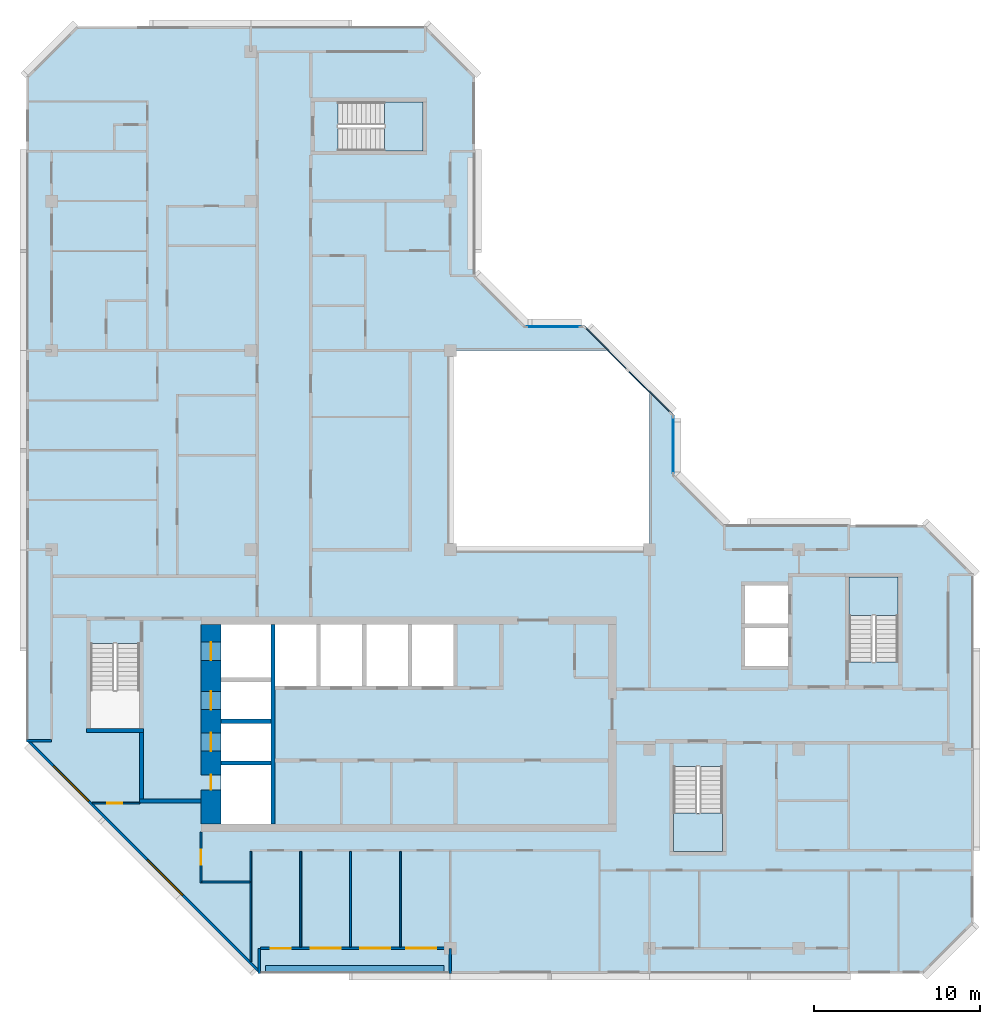
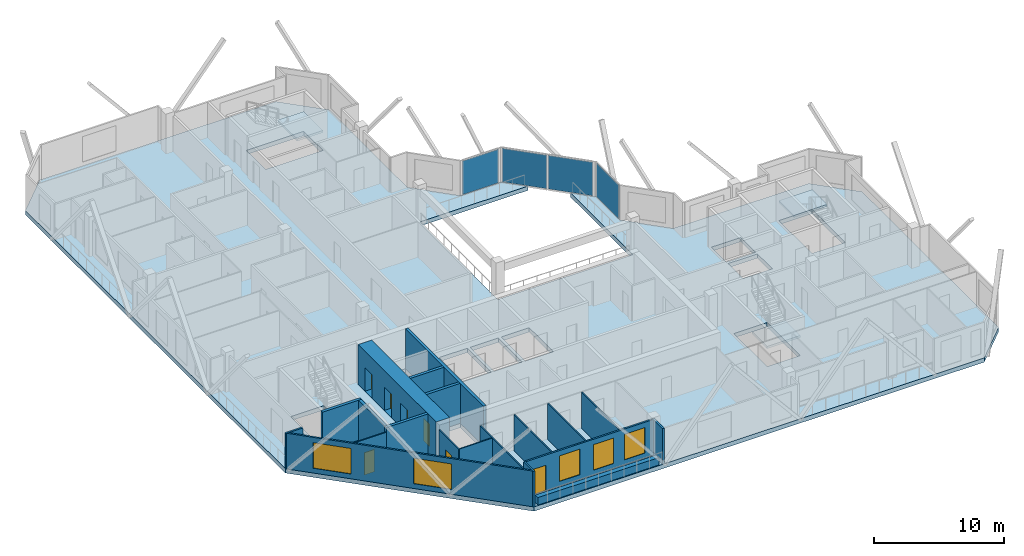
# One storey, part 3 of 11: 20 walls, 7 doors, 5 windows, 4 plates, 4 slabs, 12 openings, 6 elements without a shape of their own.
"""IFC4 building model written with IfcOpenShell, lengths in metres."""

from ifc_helpers import new_model, si_unit, direction, frame, frame_2d, origin, origin_2d, place, context, subcontext, project, spatial, polyline, rectangle, outline, extrude, material, layer, layer_set, type_object, element, fill, aggregate, save


model = new_model("IFC4")

# Units and contexts
model_context = context("Model", 3, precision=1e-05, world=origin(), true_north=direction((0.0, 1.0)))
body_context = subcontext(model_context, "Body", "Model", "MODEL_VIEW")
ifc_project = project(units=[si_unit("LENGTHUNIT", "METRE"), si_unit("AREAUNIT", "SQUARE_METRE"), si_unit("VOLUMEUNIT", "CUBIC_METRE"), si_unit("PLANEANGLEUNIT", "RADIAN"), si_unit("MASSUNIT", "GRAM", prefix="KILO")], contexts=[model_context])

# Site, building, storey
site_placement = place(None, origin())
site = spatial("IfcSite", under=ifc_project, at=site_placement, CompositionType="ELEMENT")
building_placement = place(site_placement, origin())
building = spatial("IfcBuilding", under=site, at=building_placement, Name="Chenar Terraces", CompositionType="ELEMENT")
storey_placement = place(building_placement, frame((0.0, 0.0, 376.39990234375)))
storey = spatial("IfcBuildingStorey", under=building, at=storey_placement, Name="L88", CompositionType="ELEMENT", Elevation=376.39990234375)

# Curtain wall, plate
ifc_material_1 = material(Name="Aluminium framed glazing", Category="aluminium")
ifc_layer_1 = layer(ifc_material_1, 0.14990234375)
ifc_layer_set_1 = layer_set([ifc_layer_1], Name="Aluminium framed glazing")
curtain_wall_type = type_object("IfcCurtainWallType", Name="Atrium upper-zone curtain wall", PredefinedType="NOTDEFINED", material=ifc_layer_set_1)
placement_1 = place(storey_placement, origin())
curtain_wall_1 = element("IfcCurtainWall", 1, at=placement_1, inside=storey, type_object=curtain_wall_type, Name="Atrium upper-zone curtain wall", PredefinedType="NOTDEFINED")
ifc_material_2 = material(Name="Low emissivity laminated glass, solar control coating", Category="glass")
ifc_layer_2 = layer(ifc_material_2, 0.050048828125)
ifc_layer_set_2 = layer_set([ifc_layer_2], Name="Low emissivity laminated glass, solar control coating")
plate_type = type_object("IfcPlateType", Name="Atrium upper-zone glazing panel 50", PredefinedType="CURTAIN_PANEL", material=ifc_layer_set_2)
plate_1_placement = place(storey_placement, frame((37.425048828125, 30.300048828125, 0.10009765625), z_axis=(0.0, 0.0, 1.0), x_axis=(0.0, 1.0, 0.0)))
plate_1 = element("IfcPlate", 2, at=plate_1_placement, type_object=plate_type, Name="CW8-1 panel 1.1", PredefinedType="CURTAIN_PANEL", context=body_context, shape_type="SweptSolid", body=[
    extrude(rectangle(XDim=3.39990234375, YDim=0.050048828125, at=origin_2d()), origin(), (0.0, 0.0, 1.0), 3.14990234375),
])
aggregate(curtain_wall_1, [plate_1])

# Curtain wall, plates
curtain_wall_2 = element("IfcCurtainWall", 3, at=placement_1, inside=storey, type_object=curtain_wall_type, Name="Atrium upper-zone curtain wall", PredefinedType="NOTDEFINED")
plate_2_placement = place(storey_placement, frame((35.97314453125, 33.520751953125, 0.10009765625), z_axis=(0.0, 0.0, 1.0), x_axis=(-0.707106781187, 0.707106781187, 0.0)))
plate_2 = element("IfcPlate", 4, at=plate_2_placement, type_object=plate_type, Name="CW8-2 panel 1.1", PredefinedType="CURTAIN_PANEL", context=body_context, shape_type="SweptSolid", body=[
    extrude(rectangle(XDim=3.568359375, YDim=0.050048828125, at=origin_2d()), origin(), (0.0, 0.0, 1.0), 3.14990234375),
])
plate_3_placement = place(storey_placement, frame((33.379150390625, 36.11474609375, 0.10009765625), z_axis=(0.0, 0.0, 1.0), x_axis=(-0.707106781187, 0.707106781187, 0.0)))
plate_3 = element("IfcPlate", 5, at=plate_3_placement, type_object=plate_type, Name="CW8-2 panel 2.1", PredefinedType="CURTAIN_PANEL", context=body_context, shape_type="SweptSolid", body=[
    extrude(rectangle(XDim=3.568359375, YDim=0.050048828125, at=origin_2d()), origin(), (0.0, 0.0, 1.0), 3.14990234375),
])
aggregate(curtain_wall_2, [plate_2, plate_3])

# Curtain wall, plate
curtain_wall_3 = element("IfcCurtainWall", 6, at=placement_1, inside=storey, type_object=curtain_wall_type, Name="Atrium upper-zone curtain wall", PredefinedType="NOTDEFINED")
plate_4_placement = place(storey_placement, frame((30.199951171875, 37.425048828125, 0.10009765625), z_axis=(0.0, 0.0, 1.0), x_axis=(-1.0, 0.0, 0.0)))
plate_4 = element("IfcPlate", 7, at=plate_4_placement, type_object=plate_type, Name="CW8-3 panel 1.1", PredefinedType="CURTAIN_PANEL", context=body_context, shape_type="SweptSolid", body=[
    extrude(rectangle(XDim=3.199951171875, YDim=0.050048828125, at=origin_2d()), origin(), (0.0, 0.0, 1.0), 3.14990234375),
])
aggregate(curtain_wall_3, [plate_4])

# Stair, slab
ifc_material_3 = material(Name="Reinforced concrete C40/50", Category="concrete")
stair_type = type_object("IfcStairType", Name="Core stair 1400 half-turn", PredefinedType="HALF_TURN_STAIR", material=ifc_material_3)
stair_1 = element("IfcStair", 8, at=placement_1, inside=storey, type_object=stair_type, Name="L88 Stair 2", PredefinedType="HALF_TURN_STAIR")
ifc_material_4 = material(Name="Reinforced concrete C40/50", Category="concrete")
ifc_layer_3 = layer(ifc_material_4, 0.199951171875)
ifc_layer_set_3 = layer_set([ifc_layer_3], Name="Reinforced concrete C40/50")
slab_type_1 = type_object("IfcSlabType", Name="Core stair landing 200", PredefinedType="LANDING", material=ifc_layer_set_3)
placement_2 = place(storey_placement, frame((0.0, 0.0, 1.675048828125)))
slab_1 = element("IfcSlab", 9, at=placement_2, type_object=slab_type_1, Name="ST2 landing 1", PredefinedType="LANDING", context=body_context, shape_type="SweptSolid", body=[
    extrude(outline(polyline([(37.449951171875, 8.14990234375), (37.449951171875, 5.85009765625), (40.39990234375, 5.85009765625), (40.39990234375, 8.14990234375), (37.449951171875, 8.14990234375)])), origin(), (0.0, 0.0, 1.0), 0.199951171875),
])
aggregate(stair_1, [slab_1])

stair_2 = element("IfcStair", 10, at=placement_1, inside=storey, type_object=stair_type, Name="L88 Stair 3", PredefinedType="HALF_TURN_STAIR")
slab_2 = element("IfcSlab", 11, at=placement_2, type_object=slab_type_1, Name="ST3 landing 1", PredefinedType="LANDING", context=body_context, shape_type="SweptSolid", body=[
    extrude(outline(polyline([(50.97509765625, 20.050048828125), (50.97509765625, 22.35009765625), (48.02490234375, 22.35009765625), (48.02490234375, 20.050048828125), (50.97509765625, 20.050048828125)])), origin(), (0.0, 0.0, 1.0), 0.199951171875),
])
aggregate(stair_2, [slab_2])

stair_3 = element("IfcStair", 12, at=placement_1, inside=storey, type_object=stair_type, Name="L88 Stair 4", PredefinedType="HALF_TURN_STAIR")
slab_3 = element("IfcSlab", 13, at=placement_2, type_object=slab_type_1, Name="ST4 landing 1", PredefinedType="LANDING", context=body_context, shape_type="SweptSolid", body=[
    extrude(outline(polyline([(20.050048828125, 48.02490234375), (22.35009765625, 48.02490234375), (22.35009765625, 50.97509765625), (20.050048828125, 50.97509765625), (20.050048828125, 48.02490234375)])), origin(), (0.0, 0.0, 1.0), 0.199951171875),
])
aggregate(stair_3, [slab_3])

# Slab
ifc_material_5 = material(Name="Concrete C40/50", Category="concrete")
ifc_layer_4 = layer(ifc_material_5, 0.39990234375)
ifc_layer_set_4 = layer_set([ifc_layer_4], Name="Concrete C40/50")
slab_type_2 = type_object("IfcSlabType", Name="Floor slab 400 Concrete C40/50", PredefinedType="FLOOR", material=ifc_layer_set_4)
slab_4_placement = place(storey_placement, frame((0.0, 0.0, -0.39990234375)))
element("IfcSlab", 14, at=slab_4_placement, inside=storey, type_object=slab_type_2, Name="Floor slab L88", PredefinedType="FLOOR", context=body_context, shape_type="SweptSolid", body=[
    extrude(outline(polyline([(55.5, 22.5), (55.5, 1.5), (52.5, -1.5), (12.5, -1.5), (-1.5, 12.5), (-1.5, 52.5), (1.5, 55.5), (22.5, 55.5), (25.5, 52.5), (25.5, 40.5), (28.5, 37.5), (32.10009765625, 37.5), (33.60009765625, 36.0), (24.0, 36.0), (24.0, 24.0), (36.0, 24.0), (36.0, 33.60009765625), (37.5, 32.10009765625), (37.5, 28.5), (40.5, 25.5), (52.5, 25.5), (55.5, 22.5)]), holes=[polyline([(10.199951171875, 11.050048828125), (10.199951171875, 7.5), (13.199951171875, 7.5), (13.199951171875, 11.050048828125), (10.199951171875, 11.050048828125)]), polyline([(13.199951171875, 13.550048828125), (10.199951171875, 13.550048828125), (10.199951171875, 11.300048828125), (13.199951171875, 11.300048828125), (13.199951171875, 13.550048828125)]), polyline([(13.199951171875, 16.050048828125), (10.199951171875, 16.050048828125), (10.199951171875, 13.800048828125), (13.199951171875, 13.800048828125), (13.199951171875, 16.050048828125)]), polyline([(2.35009765625, 13.25), (5.300048828125, 13.25), (5.300048828125, 18.35009765625), (2.35009765625, 18.35009765625), (2.35009765625, 13.25)]), polyline([(15.949951171875, 19.5), (13.449951171875, 19.5), (13.449951171875, 15.800048828125), (15.949951171875, 15.800048828125), (15.949951171875, 19.5)]), polyline([(18.699951171875, 19.5), (16.199951171875, 19.5), (16.199951171875, 15.800048828125), (18.699951171875, 15.800048828125), (18.699951171875, 19.5)]), polyline([(13.199951171875, 19.5), (10.199951171875, 19.5), (10.199951171875, 16.300048828125), (13.199951171875, 16.300048828125), (13.199951171875, 19.5)]), polyline([(22.35009765625, 48.02490234375), (22.35009765625, 50.97509765625), (17.25, 50.97509765625), (17.25, 48.02490234375), (22.35009765625, 48.02490234375)]), polyline([(37.449951171875, 5.85009765625), (40.39990234375, 5.85009765625), (40.39990234375, 10.949951171875), (37.449951171875, 10.949951171875), (37.449951171875, 5.85009765625)]), polyline([(21.449951171875, 19.5), (18.949951171875, 19.5), (18.949951171875, 15.800048828125), (21.449951171875, 15.800048828125), (21.449951171875, 19.5)]), polyline([(24.199951171875, 19.5), (21.699951171875, 19.5), (21.699951171875, 15.800048828125), (24.199951171875, 15.800048828125), (24.199951171875, 19.5)]), polyline([(44.35009765625, 19.300048828125), (41.75, 19.300048828125), (41.75, 17.0), (44.35009765625, 17.0), (44.35009765625, 19.300048828125)]), polyline([(50.97509765625, 22.35009765625), (48.02490234375, 22.35009765625), (48.02490234375, 17.25), (50.97509765625, 17.25), (50.97509765625, 22.35009765625)]), polyline([(44.35009765625, 21.85009765625), (41.75, 21.85009765625), (41.75, 19.550048828125), (44.35009765625, 19.550048828125), (44.35009765625, 21.85009765625)])]), origin(), (0.0, 0.0, 1.0), 0.39990234375),
])

# Wall, openings, doors
ifc_material_6 = material(Name="Concrete C50/60", Category="concrete")
ifc_layer_5 = layer(ifc_material_6, 1.199951171875)
ifc_layer_set_5 = layer_set([ifc_layer_5], Name="Concrete C50/60")
wall_type_1 = type_object("IfcWallType", Name="Core wall 1200 Concrete C50/60", PredefinedType="SHEAR", material=ifc_layer_set_5)
wall_1_placement = place(storey_placement, frame((9.60009765625, 7.5, 0.0), z_axis=(0.0, 0.0, 1.0), x_axis=(0.0, 1.0, 0.0)))
wall_1 = element("IfcWall", 15, at=wall_1_placement, inside=storey, type_object=wall_type_1, Name="Core wall W L88", PredefinedType="SHEAR", context=body_context, shape_type="SweptSolid", body=[
    extrude(rectangle(XDim=12.0, YDim=1.199951171875, at=frame_2d((6.0, 0.0))), origin(), (0.0, 0.0, 1.0), 3.75),
])
opening_1_placement = place(wall_1_placement, frame((4.375, 0.0, 0.0)))
opening_1 = element("IfcOpeningElement", 16, at=opening_1_placement, cuts=wall_1, Name="Opening DL88-LD5", PredefinedType="OPENING", context=body_context, shape_type="SweptSolid", body=[
    extrude(rectangle(XDim=1.10009765625, YDim=2.199951171875, at=frame_2d((0.550048828125, 1.10009765625))), frame((0.0, 0.60986328125, 0.0), z_axis=(0.0, -1.0, 0.0), x_axis=(1.0, 0.0, 0.0)), (0.0, 0.0, 1.0), 1.219970703125),
])
opening_2_placement = place(wall_1_placement, frame((6.875, 0.0, 0.0)))
opening_2 = element("IfcOpeningElement", 17, at=opening_2_placement, cuts=wall_1, Name="Opening DL88-LD6", PredefinedType="OPENING", context=body_context, shape_type="SweptSolid", body=[
    extrude(rectangle(XDim=1.10009765625, YDim=2.199951171875, at=frame_2d((0.550048828125, 1.10009765625))), frame((0.0, 0.60986328125, 0.0), z_axis=(0.0, -1.0, 0.0), x_axis=(1.0, 0.0, 0.0)), (0.0, 0.0, 1.0), 1.219970703125),
])
opening_3_placement = place(wall_1_placement, frame((9.85009765625, 0.0, 0.0)))
opening_3 = element("IfcOpeningElement", 18, at=opening_3_placement, cuts=wall_1, Name="Opening DL88-LD7", PredefinedType="OPENING", context=body_context, shape_type="SweptSolid", body=[
    extrude(rectangle(XDim=1.10009765625, YDim=2.199951171875, at=frame_2d((0.550048828125, 1.10009765625))), frame((0.0, 0.60986328125, 0.0), z_axis=(0.0, -1.0, 0.0), x_axis=(1.0, 0.0, 0.0)), (0.0, 0.0, 1.0), 1.219970703125),
])
opening_4_placement = place(wall_1_placement, frame((2.050048828125, 0.0, 0.0)))
opening_4 = element("IfcOpeningElement", 19, at=opening_4_placement, cuts=wall_1, Name="Opening DL88-C4", PredefinedType="OPENING", context=body_context, shape_type="SweptSolid", body=[
    extrude(rectangle(XDim=0.89990234375, YDim=2.10009765625, at=frame_2d((0.449951171875, 1.050048828125))), frame((0.0, 0.60986328125, 0.0), z_axis=(0.0, -1.0, 0.0), x_axis=(1.0, 0.0, 0.0)), (0.0, 0.0, 1.0), 1.219970703125),
])
ifc_material_7 = material(Name="Stainless steel", Category="steel")
door_type_1 = type_object("IfcDoorType", Name="Lift landing door 1100 x 2200 sliding", OperationType="DOUBLE_DOOR_SLIDING", PredefinedType="DOOR", material=ifc_material_7)
door_1_placement = place(opening_1_placement, origin())
door_1 = element("IfcDoor", 20, at=door_1_placement, inside=storey, type_object=door_type_1, Name="Landing door S1", OperationType="DOUBLE_DOOR_SLIDING", OverallHeight=2.199951171875, OverallWidth=1.10009765625, PredefinedType="DOOR", context=body_context, shape_type="SweptSolid", body=[
    extrude(rectangle(XDim=1.10009765625, YDim=2.199951171875, at=frame_2d((0.550048828125, 1.10009765625))), frame((0.0, 0.02490234375, 0.0), z_axis=(0.0, -1.0, 0.0), x_axis=(1.0, 0.0, 0.0)), (0.0, 0.0, 1.0), 0.050048828125),
])
fill(opening_1, door_1)
door_2_placement = place(opening_2_placement, origin())
door_2 = element("IfcDoor", 21, at=door_2_placement, inside=storey, type_object=door_type_1, Name="Landing door F1", OperationType="DOUBLE_DOOR_SLIDING", OverallHeight=2.199951171875, OverallWidth=1.10009765625, PredefinedType="DOOR", context=body_context, shape_type="SweptSolid", body=[
    extrude(rectangle(XDim=1.10009765625, YDim=2.199951171875, at=frame_2d((0.550048828125, 1.10009765625))), frame((0.0, 0.02490234375, 0.0), z_axis=(0.0, -1.0, 0.0), x_axis=(1.0, 0.0, 0.0)), (0.0, 0.0, 1.0), 0.050048828125),
])
fill(opening_2, door_2)
door_3_placement = place(opening_3_placement, origin())
door_3 = element("IfcDoor", 22, at=door_3_placement, inside=storey, type_object=door_type_1, Name="Landing door F2", OperationType="DOUBLE_DOOR_SLIDING", OverallHeight=2.199951171875, OverallWidth=1.10009765625, PredefinedType="DOOR", context=body_context, shape_type="SweptSolid", body=[
    extrude(rectangle(XDim=1.10009765625, YDim=2.199951171875, at=frame_2d((0.550048828125, 1.10009765625))), frame((0.0, 0.02490234375, 0.0), z_axis=(0.0, -1.0, 0.0), x_axis=(1.0, 0.0, 0.0)), (0.0, 0.0, 1.0), 0.050048828125),
])
fill(opening_3, door_3)
ifc_material_8 = material(Name="Steel-framed fire-resisting door leaf", Category="steel")
door_type_2 = type_object("IfcDoorType", Name="Riser fire door FD60 900 x 2100", OperationType="SINGLE_SWING_LEFT", PredefinedType="DOOR", material=ifc_material_8)
door_4_placement = place(opening_4_placement, frame((0.89990234375, 0.0, 0.0), z_axis=(0.0, 0.0, 1.0), x_axis=(-1.0, 0.0, 0.0)))
door_4 = element("IfcDoor", 23, at=door_4_placement, inside=storey, type_object=door_type_2, Name="Riser door DL88-C4", OperationType="SINGLE_SWING_LEFT", OverallHeight=2.10009765625, OverallWidth=0.89990234375, PredefinedType="DOOR", context=body_context, shape_type="SweptSolid", body=[
    extrude(rectangle(XDim=0.89990234375, YDim=2.10009765625, at=frame_2d((0.449951171875, 1.050048828125))), frame((0.0, 0.02490234375, 0.0), z_axis=(0.0, -1.0, 0.0), x_axis=(1.0, 0.0, 0.0)), (0.0, 0.0, 1.0), 0.050048828125),
])
fill(opening_4, door_4)

# Walls
ifc_material_9 = material(Name="Concrete C50/60", Category="concrete")
ifc_layer_6 = layer(ifc_material_9, 0.25)
ifc_layer_set_6 = layer_set([ifc_layer_6], Name="Concrete C50/60")
wall_type_2 = type_object("IfcWallType", Name="Core wall 250 Concrete C50/60", PredefinedType="SHEAR", material=ifc_layer_set_6)
wall_2_placement = place(storey_placement, frame((13.324951171875, 7.5, 0.0), z_axis=(0.0, 0.0, 1.0), x_axis=(0.0, 1.0, 0.0)))
element("IfcWall", 24, at=wall_2_placement, inside=storey, type_object=wall_type_2, Name="Core wall WI L88", PredefinedType="SHEAR", context=body_context, shape_type="SweptSolid", body=[
    extrude(rectangle(XDim=12.0, YDim=0.25, at=frame_2d((6.0, 0.0))), origin(), (0.0, 0.0, 1.0), 3.75),
])
for number, where, z_axis, x_axis, name in (
    (25, (10.199951171875, 11.175048828125, 0.0), (0.0, 0.0, 1.0), (1.0, 0.0, 0.0), "Core wall HW0 L88"),
    (26, (10.199951171875, 13.675048828125, 0.0), (0.0, 0.0, 1.0), (1.0, 0.0, 0.0), "Core wall HW1 L88"),
):
    element("IfcWall", number, at=place(storey_placement, frame(where, z_axis=z_axis, x_axis=x_axis)), inside=storey, type_object=wall_type_2, Name=name, PredefinedType="SHEAR", context=body_context, shape_type="SweptSolid", body=[
        extrude(rectangle(XDim=3.0, YDim=0.25, at=frame_2d((1.5, 0.0))), origin(), (0.0, 0.0, 1.0), 3.75),
    ])
wall_3_placement = place(storey_placement, frame((2.10009765625, 13.125, 0.0), z_axis=(0.0, 0.0, 1.0), x_axis=(1.0, 0.0, 0.0)))
element("IfcWall", 27, at=wall_3_placement, inside=storey, type_object=wall_type_2, Name="Core wall ST1_S L88", PredefinedType="SHEAR", context=body_context, shape_type="SweptSolid", body=[
    extrude(rectangle(XDim=3.449951171875, YDim=0.25, at=frame_2d((1.72509765625, 0.0))), origin(), (0.0, 0.0, 1.0), 3.75),
])
wall_4_placement = place(storey_placement, frame((5.300048828125, 8.875, 0.0), z_axis=(0.0, 0.0, 1.0), x_axis=(1.0, 0.0, 0.0)))
element("IfcWall", 28, at=wall_4_placement, inside=storey, type_object=wall_type_2, Name="Core wall FFL_S L88", PredefinedType="SHEAR", context=body_context, shape_type="SweptSolid", body=[
    extrude(rectangle(XDim=3.699951171875, YDim=0.25, at=frame_2d((1.85009765625, 0.0))), origin(), (0.0, 0.0, 1.0), 3.75),
])
wall_5_placement = place(storey_placement, frame((5.425048828125, 9.0, 0.0), z_axis=(0.0, 0.0, 1.0), x_axis=(0.0, 1.0, 0.0)))
element("IfcWall", 29, at=wall_5_placement, inside=storey, type_object=wall_type_2, Name="Core wall FFL_W L88", PredefinedType="SHEAR", context=body_context, shape_type="SweptSolid", body=[
    extrude(rectangle(XDim=4.0, YDim=0.25, at=frame_2d((2.0, 0.0))), origin(), (0.0, 0.0, 1.0), 3.75),
])

# Wall, openings, windows, door
ifc_material_10 = material(Name="Aluminium framed glazing", Category="aluminium")
ifc_layer_7 = layer(ifc_material_10, 0.14990234375)
ifc_layer_set_7 = layer_set([ifc_layer_7], Name="Aluminium framed glazing")
wall_type_3 = type_object("IfcWallType", Name="Glazed loggia back wall 150", PredefinedType="SOLIDWALL", material=ifc_layer_set_7)
wall_6_placement = place(storey_placement, frame((12.574951171875, 0.0, 0.0), z_axis=(0.0, 0.0, 1.0), x_axis=(1.0, 0.0, 0.0)))
wall_6 = element("IfcWall", 30, at=wall_6_placement, inside=storey, type_object=wall_type_3, Name="Glazed loggia back wall", PredefinedType="SOLIDWALL", context=body_context, shape_type="SweptSolid", body=[
    extrude(rectangle(XDim=11.35009765625, YDim=0.14990234375, at=frame_2d((5.675048828125, 0.0))), origin(), (0.0, 0.0, 1.0), 3.35009765625),
])
opening_5_placement = place(wall_6_placement, frame((0.612548828125, 0.0, 0.0)))
opening_5 = element("IfcOpeningElement", 31, at=opening_5_placement, cuts=wall_6, Name="Opening DL88-G3", PredefinedType="OPENING", context=body_context, shape_type="SweptSolid", body=[
    extrude(rectangle(XDim=1.199951171875, YDim=2.39990234375, at=frame_2d((0.60009765625, 1.199951171875))), frame((0.0, 0.0849609375, 0.0), z_axis=(0.0, -1.0, 0.0), x_axis=(1.0, 0.0, 0.0)), (0.0, 0.0, 1.0), 0.169921875),
])
opening_6_placement = place(wall_6_placement, frame((3.02490234375, 0.0, 0.449951171875)))
opening_6 = element("IfcOpeningElement", 32, at=opening_6_placement, cuts=wall_6, Name="Opening W180x240", PredefinedType="OPENING", context=body_context, shape_type="SweptSolid", body=[
    extrude(rectangle(XDim=1.800048828125, YDim=2.39990234375, at=frame_2d((0.89990234375, 1.199951171875))), frame((0.0, 0.0849609375, 0.0), z_axis=(0.0, -1.0, 0.0), x_axis=(1.0, 0.0, 0.0)), (0.0, 0.0, 1.0), 0.169921875),
])
opening_7_placement = place(wall_6_placement, frame((6.02490234375, 0.0, 0.449951171875)))
opening_7 = element("IfcOpeningElement", 33, at=opening_7_placement, cuts=wall_6, Name="Opening W180x240", PredefinedType="OPENING", context=body_context, shape_type="SweptSolid", body=[
    extrude(rectangle(XDim=1.800048828125, YDim=2.39990234375, at=frame_2d((0.89990234375, 1.199951171875))), frame((0.0, 0.0849609375, 0.0), z_axis=(0.0, -1.0, 0.0), x_axis=(1.0, 0.0, 0.0)), (0.0, 0.0, 1.0), 0.169921875),
])
opening_8_placement = place(wall_6_placement, frame((8.78759765625, 0.0, 0.449951171875)))
opening_8 = element("IfcOpeningElement", 34, at=opening_8_placement, cuts=wall_6, Name="Opening W180x240", PredefinedType="OPENING", context=body_context, shape_type="SweptSolid", body=[
    extrude(rectangle(XDim=1.800048828125, YDim=2.39990234375, at=frame_2d((0.89990234375, 1.199951171875))), frame((0.0, 0.0849609375, 0.0), z_axis=(0.0, -1.0, 0.0), x_axis=(1.0, 0.0, 0.0)), (0.0, 0.0, 1.0), 0.169921875),
])
ifc_material_11 = material(Name="Low emissivity double glazing, aluminium frame", Category="aluminium")
window_type_1 = type_object("IfcWindowType", Name="Fixed light 1800 x 2400", PartitioningType="SINGLE_PANEL", PredefinedType="WINDOW", material=ifc_material_11)
window_1_placement = place(opening_6_placement, origin())
window_1 = element("IfcWindow", 35, at=window_1_placement, inside=storey, type_object=window_type_1, Name="Window", OverallHeight=2.39990234375, OverallWidth=1.800048828125, PartitioningType="SINGLE_PANEL", PredefinedType="WINDOW", context=body_context, shape_type="SweptSolid", body=[
    extrude(rectangle(XDim=1.800048828125, YDim=2.39990234375, at=frame_2d((0.89990234375, 1.199951171875))), frame((0.0, 0.030029296875, 0.0), z_axis=(0.0, -1.0, 0.0), x_axis=(1.0, 0.0, 0.0)), (0.0, 0.0, 1.0), 0.06005859375),
])
fill(opening_6, window_1)
window_2_placement = place(opening_7_placement, origin())
window_2 = element("IfcWindow", 36, at=window_2_placement, inside=storey, type_object=window_type_1, Name="Window", OverallHeight=2.39990234375, OverallWidth=1.800048828125, PartitioningType="SINGLE_PANEL", PredefinedType="WINDOW", context=body_context, shape_type="SweptSolid", body=[
    extrude(rectangle(XDim=1.800048828125, YDim=2.39990234375, at=frame_2d((0.89990234375, 1.199951171875))), frame((0.0, 0.030029296875, 0.0), z_axis=(0.0, -1.0, 0.0), x_axis=(1.0, 0.0, 0.0)), (0.0, 0.0, 1.0), 0.06005859375),
])
fill(opening_7, window_2)
window_3_placement = place(opening_8_placement, origin())
window_3 = element("IfcWindow", 37, at=window_3_placement, inside=storey, type_object=window_type_1, Name="Window", OverallHeight=2.39990234375, OverallWidth=1.800048828125, PartitioningType="SINGLE_PANEL", PredefinedType="WINDOW", context=body_context, shape_type="SweptSolid", body=[
    extrude(rectangle(XDim=1.800048828125, YDim=2.39990234375, at=frame_2d((0.89990234375, 1.199951171875))), frame((0.0, 0.030029296875, 0.0), z_axis=(0.0, -1.0, 0.0), x_axis=(1.0, 0.0, 0.0)), (0.0, 0.0, 1.0), 0.06005859375),
])
fill(opening_8, window_3)
ifc_material_12 = material(Name="Low emissivity double glazing, aluminium frame", Category="aluminium")
door_type_3 = type_object("IfcDoorType", Name="Loggia glazed double door 1200 x 2400", OperationType="DOUBLE_DOOR_SINGLE_SWING", PredefinedType="DOOR", material=ifc_material_12)
door_5_placement = place(opening_5_placement, frame((1.199951171875, 0.0, 0.0), z_axis=(0.0, 0.0, 1.0), x_axis=(-1.0, 0.0, 0.0)))
door_5 = element("IfcDoor", 38, at=door_5_placement, inside=storey, type_object=door_type_3, Name="Loggia glazed door", OperationType="DOUBLE_DOOR_SINGLE_SWING", OverallHeight=2.39990234375, OverallWidth=1.199951171875, PredefinedType="DOOR", context=body_context, shape_type="SweptSolid", body=[
    extrude(rectangle(XDim=1.199951171875, YDim=2.39990234375, at=frame_2d((0.60009765625, 1.199951171875))), frame((0.0, 0.02490234375, 0.0), z_axis=(0.0, -1.0, 0.0), x_axis=(1.0, 0.0, 0.0)), (0.0, 0.0, 1.0), 0.050048828125),
])
fill(opening_5, door_5)

# Wall, opening, door
ifc_material_13 = material(Name="Gypsum board on steel studs", Category="steel")
ifc_layer_8 = layer(ifc_material_13, 0.10009765625)
ifc_layer_set_8 = layer_set([ifc_layer_8], Name="Gypsum board on steel studs")
wall_type_4 = type_object("IfcWallType", Name="Gypsum partition 100", PredefinedType="PARTITIONING", material=ifc_layer_set_8)
wall_7_placement = place(storey_placement, frame((2.4609375, 8.75, 0.0), z_axis=(0.0, 0.0, 1.0), x_axis=(1.0, 0.0, 0.0)))
wall_7 = element("IfcWall", 39, at=wall_7_placement, inside=storey, type_object=wall_type_4, Name="Partition L88-011", PredefinedType="PARTITIONING", context=body_context, shape_type="SweptSolid", body=[
    extrude(rectangle(XDim=2.839111328125, YDim=0.10009765625, at=frame_2d((1.41943359375, 0.0))), origin(), (0.0, 0.0, 1.0), 3.35009765625),
])
opening_9_placement = place(wall_7_placement, frame((0.888916015625, 0.0, 0.0)))
opening_9 = element("IfcOpeningElement", 40, at=opening_9_placement, cuts=wall_7, Name="Opening DL88-32", PredefinedType="OPENING", context=body_context, shape_type="SweptSolid", body=[
    extrude(rectangle(XDim=0.89990234375, YDim=2.10009765625, at=frame_2d((0.449951171875, 1.050048828125))), frame((0.0, 0.06005859375, 0.0), z_axis=(0.0, -1.0, 0.0), x_axis=(1.0, 0.0, 0.0)), (0.0, 0.0, 1.0), 0.1201171875),
])
ifc_material_14 = material(Name="Veneered timber door leaf", Category="wood")
door_type_4 = type_object("IfcDoorType", Name="Door 900 x 2100", OperationType="SINGLE_SWING_LEFT", PredefinedType="DOOR", material=ifc_material_14)
door_6_placement = place(opening_9_placement, frame((0.89990234375, 0.0, 0.0), z_axis=(0.0, 0.0, 1.0), x_axis=(-1.0, 0.0, 0.0)))
door_6 = element("IfcDoor", 41, at=door_6_placement, inside=storey, type_object=door_type_4, Name="Door DL88-32", OperationType="SINGLE_SWING_RIGHT", OverallHeight=2.10009765625, OverallWidth=0.89990234375, PredefinedType="DOOR", context=body_context, shape_type="SweptSolid", body=[
    extrude(rectangle(XDim=0.89990234375, YDim=2.10009765625, at=frame_2d((0.449951171875, 1.050048828125))), frame((0.0, 0.02490234375, 0.0), z_axis=(0.0, -1.0, 0.0), x_axis=(1.0, 0.0, 0.0)), (0.0, 0.0, 1.0), 0.050048828125),
])
fill(opening_9, door_6)

wall_8_placement = place(storey_placement, frame((9.0, 3.949951171875, 0.0), z_axis=(0.0, 0.0, 1.0), x_axis=(0.0, 1.0, 0.0)))
wall_8 = element("IfcWall", 42, at=wall_8_placement, inside=storey, type_object=wall_type_4, Name="Partition L88-025", PredefinedType="PARTITIONING", context=body_context, shape_type="SweptSolid", body=[
    extrude(rectangle(XDim=3.050048828125, YDim=0.10009765625, at=frame_2d((1.52490234375, 0.0))), origin(), (0.0, 0.0, 1.0), 3.35009765625),
])
opening_10_placement = place(wall_8_placement, frame((1.10009765625, 0.0, 0.0)))
opening_10 = element("IfcOpeningElement", 43, at=opening_10_placement, cuts=wall_8, Name="Opening DL88-31", PredefinedType="OPENING", context=body_context, shape_type="SweptSolid", body=[
    extrude(rectangle(XDim=0.89990234375, YDim=2.10009765625, at=frame_2d((0.449951171875, 1.050048828125))), frame((0.0, 0.06005859375, 0.0), z_axis=(0.0, -1.0, 0.0), x_axis=(1.0, 0.0, 0.0)), (0.0, 0.0, 1.0), 0.1201171875),
])
door_7_placement = place(opening_10_placement, origin())
door_7 = element("IfcDoor", 44, at=door_7_placement, inside=storey, type_object=door_type_4, Name="Door DL88-31", OperationType="SINGLE_SWING_LEFT", OverallHeight=2.10009765625, OverallWidth=0.89990234375, PredefinedType="DOOR", context=body_context, shape_type="SweptSolid", body=[
    extrude(rectangle(XDim=0.89990234375, YDim=2.10009765625, at=frame_2d((0.449951171875, 1.050048828125))), frame((0.0, 0.02490234375, 0.0), z_axis=(0.0, -1.0, 0.0), x_axis=(1.0, 0.0, 0.0)), (0.0, 0.0, 1.0), 0.050048828125),
])
fill(opening_10, door_7)

# Walls
wall_9_placement = place(storey_placement, frame((9.050048828125, 4.0, 0.0), z_axis=(0.0, 0.0, 1.0), x_axis=(1.0, 0.0, 0.0)))
element("IfcWall", 45, at=wall_9_placement, inside=storey, type_object=wall_type_4, Name="Partition L88-026", PredefinedType="PARTITIONING", context=body_context, shape_type="SweptSolid", body=[
    extrude(rectangle(XDim=2.89990234375, YDim=0.10009765625, at=frame_2d((1.449951171875, 0.0))), origin(), (0.0, 0.0, 1.0), 3.35009765625),
])
wall_10_placement = place(storey_placement, frame((12.0, -0.787841796875, 0.0), z_axis=(0.0, 0.0, 1.0), x_axis=(0.0, 1.0, 0.0)))
element("IfcWall", 46, at=wall_10_placement, inside=storey, type_object=wall_type_4, Name="Partition L88-028", PredefinedType="PARTITIONING", context=body_context, shape_type="SweptSolid", body=[
    extrude(rectangle(XDim=6.637939453125, YDim=0.10009765625, at=frame_2d((3.31884765625, 0.0))), origin(), (0.0, 0.0, 1.0), 3.35009765625),
])
for number, where, z_axis, x_axis, name in (
    (47, (15.0, 0.073974609375, 0.0), (0.0, 0.0, 1.0), (0.0, 1.0, 0.0), "Partition L88-030"),
    (48, (18.0, 0.073974609375, 0.0), (0.0, 0.0, 1.0), (0.0, 1.0, 0.0), "Partition L88-039"),
    (49, (21.0, 0.073974609375, 0.0), (0.0, 0.0, 1.0), (0.0, 1.0, 0.0), "Partition L88-043"),
):
    element("IfcWall", number, at=place(storey_placement, frame(where, z_axis=z_axis, x_axis=x_axis)), inside=storey, type_object=wall_type_4, Name=name, PredefinedType="PARTITIONING", context=body_context, shape_type="SweptSolid", body=[
        extrude(rectangle(XDim=5.776123046875, YDim=0.10009765625, at=frame_2d((2.88818359375, 0.0))), origin(), (0.0, 0.0, 1.0), 3.35009765625),
    ])
ifc_material_15 = material(Name="Terracotta cladding on insulated backing", Category="masonry")
ifc_layer_9 = layer(ifc_material_15, 0.14990234375)
ifc_layer_set_9 = layer_set([ifc_layer_9], Name="Terracotta cladding on insulated backing")
wall_type_5 = type_object("IfcWallType", Name="Loggia return wall 150", PredefinedType="SOLIDWALL", material=ifc_layer_set_9)
for number, where, z_axis, x_axis, name in (
    (50, (-1.5, 12.5, 0.0), (0.0, 0.0, 1.0), (1.0, 0.0, 0.0), "Loggia return wall"),
    (51, (12.5, -1.5, 0.0), (0.0, 0.0, 1.0), (0.0, 1.0, 0.0), "Loggia return wall"),
    (52, (24.0, -1.5, 0.0), (0.0, 0.0, 1.0), (0.0, 1.0, 0.0), "Loggia return wall"),
):
    element("IfcWall", number, at=place(storey_placement, frame(where, z_axis=z_axis, x_axis=x_axis)), inside=storey, type_object=wall_type_5, Name=name, PredefinedType="SOLIDWALL", context=body_context, shape_type="SweptSolid", body=[
        extrude(rectangle(XDim=1.5, YDim=0.14990234375, at=frame_2d((0.75, 0.0))), origin(), (0.0, 0.0, 1.0), 3.35009765625),
    ])

# Wall, openings, windows
ifc_material_16 = material(Name="Terracotta cladding on insulated backing", Category="masonry")
ifc_layer_10 = layer(ifc_material_16, 0.14990234375)
ifc_layer_set_10 = layer_set([ifc_layer_10], Name="Terracotta cladding on insulated backing")
wall_type_6 = type_object("IfcWallType", Name="Terracotta rainscreen wall 150", PredefinedType="SOLIDWALL", material=ifc_layer_set_10)
wall_11_placement = place(storey_placement, frame((-1.447021484375, 12.552978515625, 0.0), z_axis=(0.0, 0.0, 1.0), x_axis=(0.707106781187, -0.707106781187, 0.0)))
wall_11 = element("IfcWall", 53, at=wall_11_placement, inside=storey, type_object=wall_type_6, Name="Terracotta rainscreen wall", PredefinedType="SOLIDWALL", context=body_context, shape_type="SweptSolid", body=[
    extrude(rectangle(XDim=19.799072265625, YDim=0.14990234375, at=frame_2d((9.8994140625, 0.0))), origin(), (0.0, 0.0, 1.0), 3.35009765625),
])
opening_11_placement = place(wall_11_placement, frame((2.21240234375, 0.0, 0.449951171875)))
opening_11 = element("IfcOpeningElement", 54, at=opening_11_placement, cuts=wall_11, Name="Opening W300x240", PredefinedType="OPENING", context=body_context, shape_type="SweptSolid", body=[
    extrude(rectangle(XDim=3.0, YDim=2.39990234375, at=frame_2d((1.5, 1.199951171875))), frame((0.0, 0.0849609375, 0.0), z_axis=(0.0, -1.0, 0.0), x_axis=(1.0, 0.0, 0.0)), (0.0, 0.0, 1.0), 0.169921875),
])
opening_12_placement = place(wall_11_placement, frame((10.215576171875, 0.0, 0.449951171875)))
opening_12 = element("IfcOpeningElement", 55, at=opening_12_placement, cuts=wall_11, Name="Opening W300x240", PredefinedType="OPENING", context=body_context, shape_type="SweptSolid", body=[
    extrude(rectangle(XDim=3.0, YDim=2.39990234375, at=frame_2d((1.5, 1.199951171875))), frame((0.0, 0.0849609375, 0.0), z_axis=(0.0, -1.0, 0.0), x_axis=(1.0, 0.0, 0.0)), (0.0, 0.0, 1.0), 0.169921875),
])
ifc_material_17 = material(Name="Low emissivity double glazing, aluminium frame", Category="aluminium")
window_type_2 = type_object("IfcWindowType", Name="Fixed light 3000 x 2400", PartitioningType="SINGLE_PANEL", PredefinedType="WINDOW", material=ifc_material_17)
window_4_placement = place(opening_11_placement, origin())
window_4 = element("IfcWindow", 56, at=window_4_placement, inside=storey, type_object=window_type_2, Name="Window", OverallHeight=2.39990234375, OverallWidth=3.0, PartitioningType="SINGLE_PANEL", PredefinedType="WINDOW", context=body_context, shape_type="SweptSolid", body=[
    extrude(rectangle(XDim=3.0, YDim=2.39990234375, at=frame_2d((1.5, 1.199951171875))), frame((0.0, 0.030029296875, 0.0), z_axis=(0.0, -1.0, 0.0), x_axis=(1.0, 0.0, 0.0)), (0.0, 0.0, 1.0), 0.06005859375),
])
fill(opening_11, window_4)
window_5_placement = place(opening_12_placement, origin())
window_5 = element("IfcWindow", 57, at=window_5_placement, inside=storey, type_object=window_type_2, Name="Window", OverallHeight=2.39990234375, OverallWidth=3.0, PartitioningType="SINGLE_PANEL", PredefinedType="WINDOW", context=body_context, shape_type="SweptSolid", body=[
    extrude(rectangle(XDim=3.0, YDim=2.39990234375, at=frame_2d((1.5, 1.199951171875))), frame((0.0, 0.030029296875, 0.0), z_axis=(0.0, -1.0, 0.0), x_axis=(1.0, 0.0, 0.0)), (0.0, 0.0, 1.0), 0.06005859375),
])
fill(opening_12, window_5)

# Wall
ifc_material_18 = material(Name="GRP planter trough")
ifc_layer_11 = layer(ifc_material_18, 0.39990234375)
ifc_layer_set_11 = layer_set([ifc_layer_11], Name="GRP planter trough")
wall_type_7 = type_object("IfcWallType", Name="Vertical greenery planter 400", PredefinedType="SOLIDWALL", material=ifc_layer_set_11)
wall_12_placement = place(storey_placement, frame((12.875, -1.22900390625, 0.0), z_axis=(0.0, 0.0, 1.0), x_axis=(1.0, 0.0, 0.0)))
element("IfcWall", 58, at=wall_12_placement, inside=storey, type_object=wall_type_7, Name="Vertical greenery planter", PredefinedType="SOLIDWALL", context=body_context, shape_type="SweptSolid", body=[
    extrude(rectangle(XDim=10.75, YDim=0.39990234375, at=frame_2d((5.375, 0.0))), origin(), (0.0, 0.0, 1.0), 0.7001953125),
])

save(model, "model.ifc")
